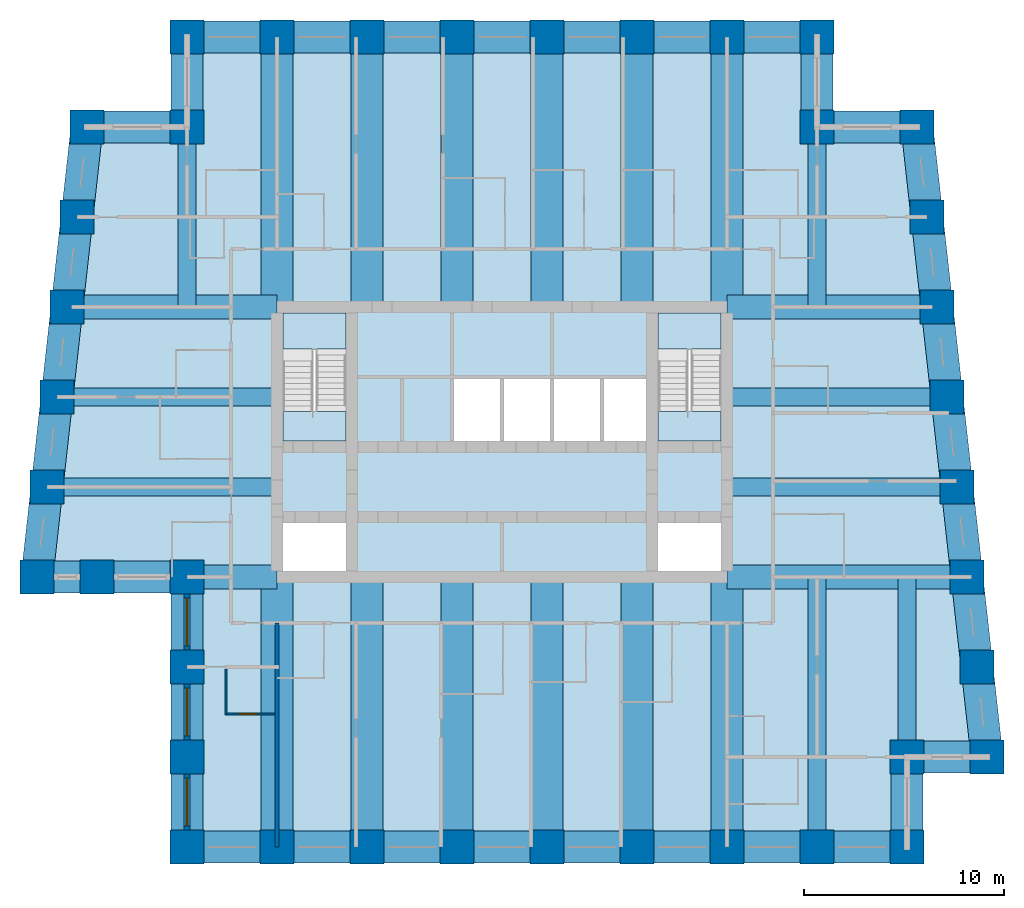
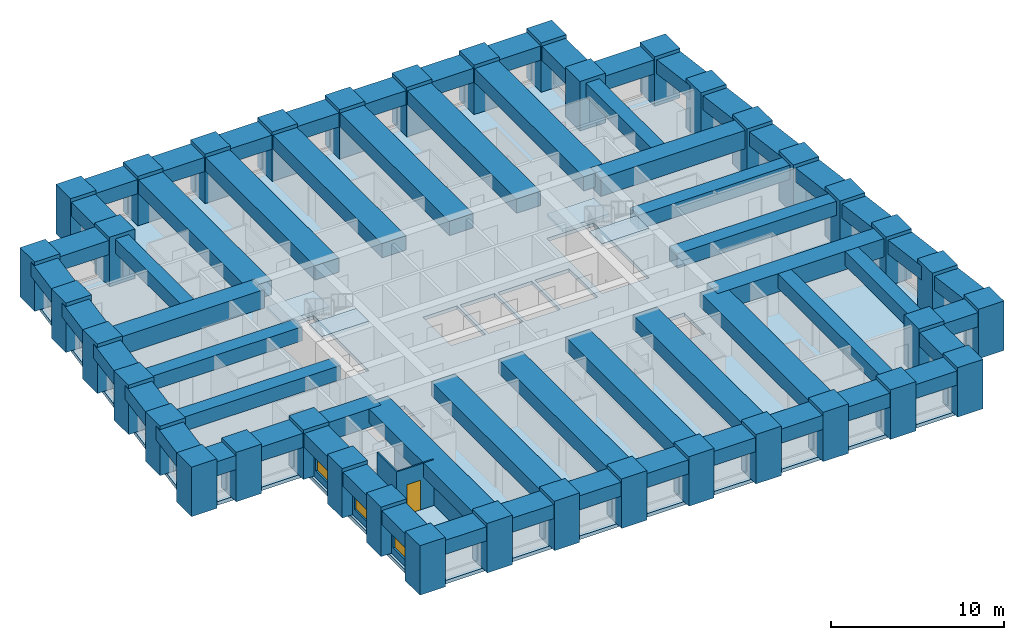
# One storey, part 1 of 8: 62 beams, 38 columns, 5 slabs, 4 walls, 3 windows, 1 door, 4 openings, 2 elements without a shape of their own.
"""IFC4 building model written with IfcOpenShell, lengths in metres."""

from ifc_helpers import new_model, si_unit, direction, frame, frame_2d, origin, origin_2d, place, context, subcontext, project, spatial, polyline, rectangle, outline, extrude, material, layer, layer_set, material_profile, profile_set, type_object, element, fill, aggregate, save


model = new_model("IFC4")

# Units and contexts
model_context = context("Model", 3, precision=1e-05, world=origin(), true_north=direction((0.0, 1.0)))
body_context = subcontext(model_context, "Body", "Model", "MODEL_VIEW")
ifc_project = project(units=[si_unit("LENGTHUNIT", "METRE"), si_unit("AREAUNIT", "SQUARE_METRE"), si_unit("VOLUMEUNIT", "CUBIC_METRE"), si_unit("PLANEANGLEUNIT", "RADIAN"), si_unit("MASSUNIT", "GRAM", prefix="KILO")], contexts=[model_context])

# Site, building, storey
site_placement = place(None, origin())
site = spatial("IfcSite", under=ifc_project, at=site_placement, CompositionType="ELEMENT")
building_placement = place(site_placement, origin())
building = spatial("IfcBuilding", under=site, at=building_placement, Name="Kilele Tower Hotel", CompositionType="ELEMENT")
storey_placement = place(building_placement, frame((0.0, 0.0, 179.89990234375)))
storey = spatial("IfcBuildingStorey", under=building, at=storey_placement, Name="L46", CompositionType="ELEMENT", Elevation=179.89990234375)

# Columns
ifc_material_1 = material(Name="Concrete C60/75", Category="concrete")
ifc_material_profile_1 = material_profile(ifc_material_1, rectangle(XDim=1.699951171875, YDim=1.699951171875, at=origin_2d()))
ifc_profile_set_1 = profile_set([ifc_material_profile_1], Name="Concrete C60/75")
column_type = type_object("IfcColumnType", Name="Tube column RC 1700x1700 C60/75", PredefinedType="COLUMN", material=ifc_profile_set_1)
for number, where, z_axis, x_axis, name in (
    (1, (1.5, 13.5, 0.0), (0.0, 0.0, 1.0), (1.0, 0.0, 0.0), "Column TC4 L46"),
    (2, (4.5, 13.5, 0.0), (0.0, 0.0, 1.0), (1.0, 0.0, 0.0), "Column TC4 L46"),
    (3, (9.0, 13.5, 0.0), (0.0, 0.0, 1.0), (1.0, 0.0, 0.0), "Column TC4 L46"),
    (4, (9.0, 9.0, 0.0), (0.0, 0.0, 1.0), (1.0, 0.0, 0.0), "Column TC4 L46"),
    (5, (9.0, 4.5, 0.0), (0.0, 0.0, 1.0), (1.0, 0.0, 0.0), "Column TC4 L46"),
    (6, (9.0, 0.0, 0.0), (0.0, 0.0, 1.0), (1.0, 0.0, 0.0), "Column TC4 L46"),
    (7, (13.5, 0.0, 0.0), (0.0, 0.0, 1.0), (1.0, 0.0, 0.0), "Column TC4 L46"),
    (8, (18.0, 0.0, 0.0), (0.0, 0.0, 1.0), (1.0, 0.0, 0.0), "Column TC4 L46"),
    (9, (22.5, 0.0, 0.0), (0.0, 0.0, 1.0), (1.0, 0.0, 0.0), "Column TC4 L46"),
    (10, (27.0, 0.0, 0.0), (0.0, 0.0, 1.0), (1.0, 0.0, 0.0), "Column TC4 L46"),
    (11, (31.5, 0.0, 0.0), (0.0, 0.0, 1.0), (1.0, 0.0, 0.0), "Column TC4 L46"),
    (12, (36.0, 0.0, 0.0), (0.0, 0.0, 1.0), (1.0, 0.0, 0.0), "Column TC4 L46"),
    (13, (40.5, 0.0, 0.0), (0.0, 0.0, 1.0), (1.0, 0.0, 0.0), "Column TC4 L46"),
    (14, (45.0, 0.0, 0.0), (0.0, 0.0, 1.0), (1.0, 0.0, 0.0), "Column TC4 L46"),
    (15, (45.0, 4.5, 0.0), (0.0, 0.0, 1.0), (1.0, 0.0, 0.0), "Column TC4 L46"),
    (16, (49.0, 4.5, 0.0), (0.0, 0.0, 1.0), (1.0, 0.0, 0.0), "Column TC4 L46"),
    (17, (48.5, 9.0, 0.0), (0.0, 0.0, 1.0), (1.0, 0.0, 0.0), "Column TC4 L46"),
    (18, (48.0, 13.5, 0.0), (0.0, 0.0, 1.0), (1.0, 0.0, 0.0), "Column TC4 L46"),
    (19, (47.5, 18.0, 0.0), (0.0, 0.0, 1.0), (1.0, 0.0, 0.0), "Column TC4 L46"),
    (20, (47.0, 22.5, 0.0), (0.0, 0.0, 1.0), (1.0, 0.0, 0.0), "Column TC4 L46"),
    (21, (46.5, 27.0, 0.0), (0.0, 0.0, 1.0), (1.0, 0.0, 0.0), "Column TC4 L46"),
    (22, (46.0, 31.5, 0.0), (0.0, 0.0, 1.0), (1.0, 0.0, 0.0), "Column TC4 L46"),
    (23, (45.5, 36.0, 0.0), (0.0, 0.0, 1.0), (1.0, 0.0, 0.0), "Column TC4 L46"),
    (24, (40.5, 36.0, 0.0), (0.0, 0.0, 1.0), (1.0, 0.0, 0.0), "Column TC4 L46"),
    (25, (40.5, 40.5, 0.0), (0.0, 0.0, 1.0), (1.0, 0.0, 0.0), "Column TC4 L46"),
    (26, (36.0, 40.5, 0.0), (0.0, 0.0, 1.0), (1.0, 0.0, 0.0), "Column TC4 L46"),
    (27, (31.5, 40.5, 0.0), (0.0, 0.0, 1.0), (1.0, 0.0, 0.0), "Column TC4 L46"),
    (28, (27.0, 40.5, 0.0), (0.0, 0.0, 1.0), (1.0, 0.0, 0.0), "Column TC4 L46"),
    (29, (22.5, 40.5, 0.0), (0.0, 0.0, 1.0), (1.0, 0.0, 0.0), "Column TC4 L46"),
    (30, (18.0, 40.5, 0.0), (0.0, 0.0, 1.0), (1.0, 0.0, 0.0), "Column TC4 L46"),
    (31, (13.5, 40.5, 0.0), (0.0, 0.0, 1.0), (1.0, 0.0, 0.0), "Column TC4 L46"),
    (32, (9.0, 40.5, 0.0), (0.0, 0.0, 1.0), (1.0, 0.0, 0.0), "Column TC4 L46"),
    (33, (9.0, 36.0, 0.0), (0.0, 0.0, 1.0), (1.0, 0.0, 0.0), "Column TC4 L46"),
    (34, (4.0, 36.0, 0.0), (0.0, 0.0, 1.0), (1.0, 0.0, 0.0), "Column TC4 L46"),
    (35, (3.5, 31.5, 0.0), (0.0, 0.0, 1.0), (1.0, 0.0, 0.0), "Column TC4 L46"),
    (36, (3.0, 27.0, 0.0), (0.0, 0.0, 1.0), (1.0, 0.0, 0.0), "Column TC4 L46"),
    (37, (2.5, 22.5, 0.0), (0.0, 0.0, 1.0), (1.0, 0.0, 0.0), "Column TC4 L46"),
    (38, (2.0, 18.0, 0.0), (0.0, 0.0, 1.0), (1.0, 0.0, 0.0), "Column TC4 L46"),
):
    element("IfcColumn", number, at=place(storey_placement, frame(where, z_axis=z_axis, x_axis=x_axis)), inside=storey, type_object=column_type, Name=name, PredefinedType="COLUMN", context=body_context, shape_type="SweptSolid", body=[
        extrude(rectangle(XDim=1.699951171875, YDim=1.699951171875, at=origin_2d()), origin(), (0.0, 0.0, 1.0), 3.5),
    ])

# Beams
ifc_material_2 = material(Name="Concrete C60/75", Category="concrete")
ifc_material_profile_2 = material_profile(ifc_material_2, rectangle(XDim=1.60009765625, YDim=1.0, at=origin_2d()))
ifc_profile_set_2 = profile_set([ifc_material_profile_2], Name="Concrete C60/75")
beam_type_1 = type_object("IfcBeamType", Name="Beam RC 1600x1000 C60/75", PredefinedType="BEAM", material=ifc_profile_set_2)
for number, where, z_axis, x_axis, name in (
    (39, (13.5, 0.0, 2.75), (0.0, 1.0, 0.0), (-1.0, 0.0, 0.0), "Beam BC1 level L47"),
    (40, (18.0, 0.0, 2.75), (0.0, 1.0, 0.0), (-1.0, 0.0, 0.0), "Beam BC1 level L47"),
    (41, (22.5, 0.0, 2.75), (0.0, 1.0, 0.0), (-1.0, 0.0, 0.0), "Beam BC1 level L47"),
    (42, (27.0, 0.0, 2.75), (0.0, 1.0, 0.0), (-1.0, 0.0, 0.0), "Beam BC1 level L47"),
    (43, (31.5, 0.0, 2.75), (0.0, 1.0, 0.0), (-1.0, 0.0, 0.0), "Beam BC1 level L47"),
    (44, (36.0, 0.0, 2.75), (0.0, 1.0, 0.0), (-1.0, 0.0, 0.0), "Beam BC1 level L47"),
    (45, (36.0, 40.5, 2.75), (0.0, -1.0, 0.0), (1.0, 0.0, 0.0), "Beam BC1 level L47"),
    (46, (31.5, 40.5, 2.75), (0.0, -1.0, 0.0), (1.0, 0.0, 0.0), "Beam BC1 level L47"),
    (47, (27.0, 40.5, 2.75), (0.0, -1.0, 0.0), (1.0, 0.0, 0.0), "Beam BC1 level L47"),
    (48, (22.5, 40.5, 2.75), (0.0, -1.0, 0.0), (1.0, 0.0, 0.0), "Beam BC1 level L47"),
    (49, (18.0, 40.5, 2.75), (0.0, -1.0, 0.0), (1.0, 0.0, 0.0), "Beam BC1 level L47"),
    (50, (13.5, 40.5, 2.75), (0.0, -1.0, 0.0), (1.0, 0.0, 0.0), "Beam BC1 level L47"),
):
    element("IfcBeam", number, at=place(storey_placement, frame(where, z_axis=z_axis, x_axis=x_axis)), inside=storey, type_object=beam_type_1, Name=name, PredefinedType="BEAM", context=body_context, shape_type="SweptSolid", body=[
        extrude(rectangle(XDim=1.60009765625, YDim=1.0, at=origin_2d()), origin(), (0.0, 0.0, 1.0), 13.5),
    ])
ifc_material_3 = material(Name="Concrete C60/75", Category="concrete")
ifc_material_profile_3 = material_profile(ifc_material_3, rectangle(XDim=0.89990234375, YDim=1.0, at=origin_2d()))
ifc_profile_set_3 = profile_set([ifc_material_profile_3], Name="Concrete C60/75")
beam_type_2 = type_object("IfcBeamType", Name="Beam RC 900x1000 C60/75", PredefinedType="BEAM", material=ifc_profile_set_3)
beam_1_placement = place(storey_placement, frame((40.5, 0.0, 2.75), z_axis=(0.0, 1.0, 0.0), x_axis=(-1.0, 0.0, 0.0)))
element("IfcBeam", 51, at=beam_1_placement, inside=storey, type_object=beam_type_2, Name="Beam B8 level L47", PredefinedType="BEAM", context=body_context, shape_type="SweptSolid", body=[
    extrude(rectangle(XDim=0.89990234375, YDim=1.0, at=origin_2d()), origin(), (0.0, 0.0, 1.0), 13.5),
])
beam_2_placement = place(storey_placement, frame((45.0, 4.5, 2.75), z_axis=(0.0, 1.0, 0.0), x_axis=(-1.0, 0.0, 0.0)))
element("IfcBeam", 52, at=beam_2_placement, inside=storey, type_object=beam_type_2, Name="Beam B8 level L47", PredefinedType="BEAM", context=body_context, shape_type="SweptSolid", body=[
    extrude(rectangle(XDim=0.89990234375, YDim=1.0, at=origin_2d()), origin(), (0.0, 0.0, 1.0), 9.0),
])
beam_3_placement = place(storey_placement, frame((47.5, 18.0, 2.75), z_axis=(-1.0, 0.0, 0.0), x_axis=(0.0, -1.0, 0.0)))
element("IfcBeam", 53, at=beam_3_placement, inside=storey, type_object=beam_type_2, Name="Beam B8 level L47", PredefinedType="BEAM", context=body_context, shape_type="SweptSolid", body=[
    extrude(rectangle(XDim=0.89990234375, YDim=1.0, at=origin_2d()), origin(), (0.0, 0.0, 1.0), 11.5),
])
beam_4_placement = place(storey_placement, frame((47.0, 22.5, 2.75), z_axis=(-1.0, 0.0, 0.0), x_axis=(0.0, -1.0, 0.0)))
element("IfcBeam", 54, at=beam_4_placement, inside=storey, type_object=beam_type_2, Name="Beam B8 level L47", PredefinedType="BEAM", context=body_context, shape_type="SweptSolid", body=[
    extrude(rectangle(XDim=0.89990234375, YDim=1.0, at=origin_2d()), origin(), (0.0, 0.0, 1.0), 11.0),
])
for number, where, z_axis, x_axis, name in (
    (55, (40.5, 36.0, 2.75), (0.0, -1.0, 0.0), (1.0, 0.0, 0.0), "Beam B8 level L47"),
    (56, (9.0, 36.0, 2.75), (0.0, -1.0, 0.0), (1.0, 0.0, 0.0), "Beam B8 level L47"),
):
    element("IfcBeam", number, at=place(storey_placement, frame(where, z_axis=z_axis, x_axis=x_axis)), inside=storey, type_object=beam_type_2, Name=name, PredefinedType="BEAM", context=body_context, shape_type="SweptSolid", body=[
        extrude(rectangle(XDim=0.89990234375, YDim=1.0, at=origin_2d()), origin(), (0.0, 0.0, 1.0), 9.0),
    ])
beam_5_placement = place(storey_placement, frame((2.5, 22.5, 2.75), z_axis=(1.0, 0.0, 0.0), x_axis=(0.0, 1.0, 0.0)))
element("IfcBeam", 57, at=beam_5_placement, inside=storey, type_object=beam_type_2, Name="Beam B8 level L47", PredefinedType="BEAM", context=body_context, shape_type="SweptSolid", body=[
    extrude(rectangle(XDim=0.89990234375, YDim=1.0, at=origin_2d()), origin(), (0.0, 0.0, 1.0), 11.0),
])
beam_6_placement = place(storey_placement, frame((2.0, 18.0, 2.75), z_axis=(1.0, 0.0, 0.0), x_axis=(0.0, 1.0, 0.0)))
element("IfcBeam", 58, at=beam_6_placement, inside=storey, type_object=beam_type_2, Name="Beam B8 level L47", PredefinedType="BEAM", context=body_context, shape_type="SweptSolid", body=[
    extrude(rectangle(XDim=0.89990234375, YDim=1.0, at=origin_2d()), origin(), (0.0, 0.0, 1.0), 11.5),
])
ifc_material_4 = material(Name="Concrete C60/75", Category="concrete")
ifc_material_profile_4 = material_profile(ifc_material_4, rectangle(XDim=1.199951171875, YDim=1.300048828125, at=origin_2d()))
ifc_profile_set_4 = profile_set([ifc_material_profile_4], Name="Concrete C60/75")
beam_type_3 = type_object("IfcBeamType", Name="Girder RC 1200x1300 C60/75", PredefinedType="BEAM", material=ifc_profile_set_4)
beam_7_placement = place(storey_placement, frame((48.0, 13.5, 2.60009765625), z_axis=(-1.0, 0.0, 0.0), x_axis=(0.0, -1.0, 0.0)))
element("IfcBeam", 59, at=beam_7_placement, inside=storey, type_object=beam_type_3, Name="Girder G1 level L47", PredefinedType="BEAM", context=body_context, shape_type="SweptSolid", body=[
    extrude(rectangle(XDim=1.199951171875, YDim=1.300048828125, at=origin_2d()), origin(), (0.0, 0.0, 1.0), 12.0),
])
ifc_material_5 = material(Name="Concrete C60/75", Category="concrete")
ifc_material_profile_5 = material_profile(ifc_material_5, rectangle(XDim=1.199951171875, YDim=1.300048828125, at=origin_2d()))
ifc_profile_set_5 = profile_set([ifc_material_profile_5], Name="Concrete C60/75")
beam_type_4 = type_object("IfcBeamType", Name="Girder RC 1200x1300 C60/75 mid span", PredefinedType="BEAM", material=ifc_profile_set_5)
for number, where, z_axis, x_axis, name in (
    (60, (46.5, 27.0, 2.60009765625), (-1.0, 0.0, 0.0), (0.0, -1.0, 0.0), "Girder G3 level L47"),
    (61, (3.0, 27.0, 2.60009765625), (1.0, 0.0, 0.0), (0.0, 1.0, 0.0), "Girder G3 level L47"),
):
    element("IfcBeam", number, at=place(storey_placement, frame(where, z_axis=z_axis, x_axis=x_axis)), inside=storey, type_object=beam_type_4, Name=name, PredefinedType="BEAM", context=body_context, shape_type="SweptSolid", body=[
        extrude(rectangle(XDim=1.199951171875, YDim=1.300048828125, at=origin_2d()), origin(), (0.0, 0.0, 1.0), 10.5),
    ])
ifc_material_6 = material(Name="Concrete C60/75", Category="concrete")
ifc_material_profile_6 = material_profile(ifc_material_6, rectangle(XDim=1.199951171875, YDim=1.300048828125, at=origin_2d()))
ifc_profile_set_6 = profile_set([ifc_material_profile_6], Name="Concrete C60/75")
beam_type_5 = type_object("IfcBeamType", Name="Girder RC 1200x1300 C60/75 short span", PredefinedType="BEAM", material=ifc_profile_set_6)
beam_8_placement = place(storey_placement, frame((9.0, 13.5, 2.60009765625), z_axis=(1.0, 0.0, 0.0), x_axis=(0.0, 1.0, 0.0)))
element("IfcBeam", 62, at=beam_8_placement, inside=storey, type_object=beam_type_5, Name="Girder G5 level L47", PredefinedType="BEAM", context=body_context, shape_type="SweptSolid", body=[
    extrude(rectangle(XDim=1.199951171875, YDim=1.300048828125, at=origin_2d()), origin(), (0.0, 0.0, 1.0), 4.5),
])
ifc_material_7 = material(Name="Concrete C60/75", Category="concrete")
ifc_material_profile_7 = material_profile(ifc_material_7, rectangle(XDim=1.60009765625, YDim=1.0, at=origin_2d()))
ifc_profile_set_7 = profile_set([ifc_material_profile_7], Name="Concrete C60/75")
beam_type_6 = type_object("IfcBeamType", Name="Spandrel RC 1600x1000 C60/75", PredefinedType="SPANDREL", material=ifc_profile_set_7)
beam_9_placement = place(storey_placement, frame((1.5, 13.5, 2.75), z_axis=(1.0, 0.0, 0.0), x_axis=(0.0, 1.0, 0.0)))
element("IfcBeam", 63, at=beam_9_placement, inside=storey, type_object=beam_type_6, Name="Spandrel SP2 level L47", PredefinedType="SPANDREL", context=body_context, shape_type="SweptSolid", body=[
    extrude(rectangle(XDim=1.60009765625, YDim=1.0, at=origin_2d()), origin(), (0.0, 0.0, 1.0), 3.0),
])
for number, where, z_axis, x_axis, name in (
    (64, (4.5, 13.5, 2.75), (1.0, 0.0, 0.0), (0.0, 1.0, 0.0), "Spandrel SP2 level L47"),
    (65, (9.0, 13.5, 2.75), (0.0, -1.0, 0.0), (1.0, 0.0, 0.0), "Spandrel SP2 level L47"),
    (66, (9.0, 9.0, 2.75), (0.0, -1.0, 0.0), (1.0, 0.0, 0.0), "Spandrel SP2 level L47"),
    (67, (9.0, 4.5, 2.75), (0.0, -1.0, 0.0), (1.0, 0.0, 0.0), "Spandrel SP2 level L47"),
    (68, (9.0, 0.0, 2.75), (1.0, 0.0, 0.0), (0.0, 1.0, 0.0), "Spandrel SP2 level L47"),
    (69, (13.5, 0.0, 2.75), (1.0, 0.0, 0.0), (0.0, 1.0, 0.0), "Spandrel SP2 level L47"),
    (70, (18.0, 0.0, 2.75), (1.0, 0.0, 0.0), (0.0, 1.0, 0.0), "Spandrel SP2 level L47"),
    (71, (22.5, 0.0, 2.75), (1.0, 0.0, 0.0), (0.0, 1.0, 0.0), "Spandrel SP2 level L47"),
    (72, (27.0, 0.0, 2.75), (1.0, 0.0, 0.0), (0.0, 1.0, 0.0), "Spandrel SP2 level L47"),
    (73, (31.5, 0.0, 2.75), (1.0, 0.0, 0.0), (0.0, 1.0, 0.0), "Spandrel SP2 level L47"),
    (74, (36.0, 0.0, 2.75), (1.0, 0.0, 0.0), (0.0, 1.0, 0.0), "Spandrel SP2 level L47"),
    (75, (40.5, 0.0, 2.75), (1.0, 0.0, 0.0), (0.0, 1.0, 0.0), "Spandrel SP2 level L47"),
    (76, (45.0, 0.0, 2.75), (0.0, 1.0, 0.0), (-1.0, 0.0, 0.0), "Spandrel SP2 level L47"),
):
    element("IfcBeam", number, at=place(storey_placement, frame(where, z_axis=z_axis, x_axis=x_axis)), inside=storey, type_object=beam_type_6, Name=name, PredefinedType="SPANDREL", context=body_context, shape_type="SweptSolid", body=[
        extrude(rectangle(XDim=1.60009765625, YDim=1.0, at=origin_2d()), origin(), (0.0, 0.0, 1.0), 4.5),
    ])
beam_10_placement = place(storey_placement, frame((45.0, 4.5, 2.75), z_axis=(1.0, 0.0, 0.0), x_axis=(0.0, 1.0, 0.0)))
element("IfcBeam", 77, at=beam_10_placement, inside=storey, type_object=beam_type_6, Name="Spandrel SP2 level L47", PredefinedType="SPANDREL", context=body_context, shape_type="SweptSolid", body=[
    extrude(rectangle(XDim=1.60009765625, YDim=1.0, at=origin_2d()), origin(), (0.0, 0.0, 1.0), 4.0),
])
for number, where, z_axis, x_axis, name in (
    (78, (49.0, 4.5, 2.75), (-0.110431526075, 0.993883734674, 0.0), (-0.993883734674, -0.110431526075, 0.0), "Spandrel SP2 level L47"),
    (79, (48.5, 9.0, 2.75), (-0.110431526075, 0.993883734674, 0.0), (-0.993883734674, -0.110431526075, 0.0), "Spandrel SP2 level L47"),
    (80, (48.0, 13.5, 2.75), (-0.110431526075, 0.993883734674, 0.0), (-0.993883734674, -0.110431526075, 0.0), "Spandrel SP2 level L47"),
    (81, (47.5, 18.0, 2.75), (-0.110431526075, 0.993883734674, 0.0), (-0.993883734674, -0.110431526075, 0.0), "Spandrel SP2 level L47"),
    (82, (47.0, 22.5, 2.75), (-0.110431526075, 0.993883734674, 0.0), (-0.993883734674, -0.110431526075, 0.0), "Spandrel SP2 level L47"),
    (83, (46.5, 27.0, 2.75), (-0.110431526075, 0.993883734674, 0.0), (-0.993883734674, -0.110431526075, 0.0), "Spandrel SP2 level L47"),
    (84, (46.0, 31.5, 2.75), (-0.110431526075, 0.993883734674, 0.0), (-0.993883734674, -0.110431526075, 0.0), "Spandrel SP2 level L47"),
):
    element("IfcBeam", number, at=place(storey_placement, frame(where, z_axis=z_axis, x_axis=x_axis)), inside=storey, type_object=beam_type_6, Name=name, PredefinedType="SPANDREL", context=body_context, shape_type="SweptSolid", body=[
        extrude(rectangle(XDim=1.60009765625, YDim=1.0, at=origin_2d()), origin(), (0.0, 0.0, 1.0), 4.527587890625),
    ])
beam_11_placement = place(storey_placement, frame((45.5, 36.0, 2.75), z_axis=(-1.0, 0.0, 0.0), x_axis=(0.0, -1.0, 0.0)))
element("IfcBeam", 85, at=beam_11_placement, inside=storey, type_object=beam_type_6, Name="Spandrel SP2 level L47", PredefinedType="SPANDREL", context=body_context, shape_type="SweptSolid", body=[
    extrude(rectangle(XDim=1.60009765625, YDim=1.0, at=origin_2d()), origin(), (0.0, 0.0, 1.0), 5.0),
])
for number, where, z_axis, x_axis, name in (
    (86, (40.5, 36.0, 2.75), (0.0, 1.0, 0.0), (-1.0, 0.0, 0.0), "Spandrel SP2 level L47"),
    (87, (40.5, 40.5, 2.75), (-1.0, 0.0, 0.0), (0.0, -1.0, 0.0), "Spandrel SP2 level L47"),
    (88, (36.0, 40.5, 2.75), (-1.0, 0.0, 0.0), (0.0, -1.0, 0.0), "Spandrel SP2 level L47"),
    (89, (31.5, 40.5, 2.75), (-1.0, 0.0, 0.0), (0.0, -1.0, 0.0), "Spandrel SP2 level L47"),
    (90, (27.0, 40.5, 2.75), (-1.0, 0.0, 0.0), (0.0, -1.0, 0.0), "Spandrel SP2 level L47"),
    (91, (22.5, 40.5, 2.75), (-1.0, 0.0, 0.0), (0.0, -1.0, 0.0), "Spandrel SP2 level L47"),
    (92, (18.0, 40.5, 2.75), (-1.0, 0.0, 0.0), (0.0, -1.0, 0.0), "Spandrel SP2 level L47"),
    (93, (13.5, 40.5, 2.75), (-1.0, 0.0, 0.0), (0.0, -1.0, 0.0), "Spandrel SP2 level L47"),
    (94, (9.0, 40.5, 2.75), (0.0, -1.0, 0.0), (1.0, 0.0, 0.0), "Spandrel SP2 level L47"),
):
    element("IfcBeam", number, at=place(storey_placement, frame(where, z_axis=z_axis, x_axis=x_axis)), inside=storey, type_object=beam_type_6, Name=name, PredefinedType="SPANDREL", context=body_context, shape_type="SweptSolid", body=[
        extrude(rectangle(XDim=1.60009765625, YDim=1.0, at=origin_2d()), origin(), (0.0, 0.0, 1.0), 4.5),
    ])
beam_12_placement = place(storey_placement, frame((9.0, 36.0, 2.75), z_axis=(-1.0, 0.0, 0.0), x_axis=(0.0, -1.0, 0.0)))
element("IfcBeam", 95, at=beam_12_placement, inside=storey, type_object=beam_type_6, Name="Spandrel SP2 level L47", PredefinedType="SPANDREL", context=body_context, shape_type="SweptSolid", body=[
    extrude(rectangle(XDim=1.60009765625, YDim=1.0, at=origin_2d()), origin(), (0.0, 0.0, 1.0), 5.0),
])
for number, where, z_axis, x_axis, name in (
    (96, (4.0, 36.0, 2.75), (-0.110431526075, -0.993883734674, 0.0), (0.993883734674, -0.110431526075, 0.0), "Spandrel SP2 level L47"),
    (97, (3.5, 31.5, 2.75), (-0.110431526075, -0.993883734674, 0.0), (0.993883734674, -0.110431526075, 0.0), "Spandrel SP2 level L47"),
    (98, (3.0, 27.0, 2.75), (-0.110431526075, -0.993883734674, 0.0), (0.993883734674, -0.110431526075, 0.0), "Spandrel SP2 level L47"),
    (99, (2.5, 22.5, 2.75), (-0.110431526075, -0.993883734674, 0.0), (0.993883734674, -0.110431526075, 0.0), "Spandrel SP2 level L47"),
    (100, (2.0, 18.0, 2.75), (-0.110431526075, -0.993883734674, 0.0), (0.993883734674, -0.110431526075, 0.0), "Spandrel SP2 level L47"),
):
    element("IfcBeam", number, at=place(storey_placement, frame(where, z_axis=z_axis, x_axis=x_axis)), inside=storey, type_object=beam_type_6, Name=name, PredefinedType="SPANDREL", context=body_context, shape_type="SweptSolid", body=[
        extrude(rectangle(XDim=1.60009765625, YDim=1.0, at=origin_2d()), origin(), (0.0, 0.0, 1.0), 4.527587890625),
    ])

# Slab
ifc_material_8 = material(Name="Concrete C60/75", Category="concrete")
ifc_layer_1 = layer(ifc_material_8, 0.25)
ifc_layer_set_1 = layer_set([ifc_layer_1], Name="Concrete C60/75")
slab_type_1 = type_object("IfcSlabType", Name="Floor slab 250", PredefinedType="FLOOR", material=ifc_layer_set_1)
slab_1_placement = place(storey_placement, frame((0.0, 0.0, -0.25)))
element("IfcSlab", 101, at=slab_1_placement, inside=storey, type_object=slab_type_1, Name="Floor slab L46", PredefinedType="FLOOR", context=body_context, shape_type="SweptSolid", body=[
    extrude(outline(polyline([(8.699951171875, 36.300048828125), (8.699951171875, 40.800048828125), (40.800048828125, 40.800048828125), (40.800048828125, 36.300048828125), (45.7685546875, 36.300048828125), (49.335205078125, 4.199951171875), (45.300048828125, 4.199951171875), (45.300048828125, -0.300048828125), (8.699951171875, -0.300048828125), (8.699951171875, 13.199951171875), (1.164794921875, 13.199951171875), (3.7314453125, 36.300048828125), (8.699951171875, 36.300048828125)]), holes=[polyline([(16.949951171875, 16.199951171875), (13.800048828125, 16.199951171875), (13.800048828125, 13.800048828125), (16.949951171875, 13.800048828125), (16.949951171875, 16.199951171875)]), polyline([(35.699951171875, 16.199951171875), (32.550048828125, 16.199951171875), (32.550048828125, 13.800048828125), (35.699951171875, 13.800048828125), (35.699951171875, 16.199951171875)]), polyline([(24.64990234375, 23.39990234375), (22.35009765625, 23.39990234375), (22.35009765625, 20.10009765625), (24.64990234375, 20.10009765625), (24.64990234375, 23.39990234375)]), polyline([(27.14990234375, 23.39990234375), (24.85009765625, 23.39990234375), (24.85009765625, 20.10009765625), (27.14990234375, 20.10009765625), (27.14990234375, 23.39990234375)]), polyline([(29.64990234375, 23.39990234375), (27.35009765625, 23.39990234375), (27.35009765625, 20.10009765625), (29.64990234375, 20.10009765625), (29.64990234375, 23.39990234375)]), polyline([(32.14990234375, 23.39990234375), (29.85009765625, 23.39990234375), (29.85009765625, 20.10009765625), (32.14990234375, 20.10009765625), (32.14990234375, 23.39990234375)]), polyline([(16.949951171875, 26.699951171875), (13.800048828125, 26.699951171875), (13.800048828125, 20.300048828125), (16.949951171875, 20.300048828125), (16.949951171875, 26.699951171875)]), polyline([(35.699951171875, 26.699951171875), (32.550048828125, 26.699951171875), (32.550048828125, 20.300048828125), (35.699951171875, 20.300048828125), (35.699951171875, 26.699951171875)])]), origin(), (0.0, 0.0, 1.0), 0.25),
])

# Stair, slabs
ifc_material_9 = material(Name="Precast concrete C40/50", Category="concrete")
stair_type = type_object("IfcStairType", Name="Stair 1475 x 3500", PredefinedType="HALF_TURN_STAIR", material=ifc_material_9)
stair_1_placement = place(storey_placement, origin())
stair_1 = element("IfcStair", 102, at=stair_1_placement, inside=storey, type_object=stair_type, Name="Stair 1 L46", PredefinedType="HALF_TURN_STAIR")
ifc_material_10 = material(Name="Precast concrete C40/50", Category="concrete")
ifc_layer_2 = layer(ifc_material_10, 0.199951171875)
ifc_layer_set_2 = layer_set([ifc_layer_2], Name="Precast concrete C40/50")
slab_type_2 = type_object("IfcSlabType", Name="Stair landing 200", PredefinedType="LANDING", material=ifc_layer_set_2)
slab_2_placement = place(storey_placement, frame((0.0, 0.0, 1.550048828125)))
slab_2 = element("IfcSlab", 103, at=slab_2_placement, type_object=slab_type_2, Name="ST1 landing 1", PredefinedType="LANDING", context=body_context, shape_type="SweptSolid", body=[
    extrude(outline(polyline([(13.800048828125, 24.89501953125), (16.949951171875, 24.89501953125), (16.949951171875, 26.699951171875), (13.800048828125, 26.699951171875), (13.800048828125, 24.89501953125)])), origin(), (0.0, 0.0, 1.0), 0.199951171875),
])
slab_3_placement = place(storey_placement, frame((0.0, 0.0, 3.300048828125)))
slab_3 = element("IfcSlab", 104, at=slab_3_placement, type_object=slab_type_2, Name="ST1 landing 2", PredefinedType="LANDING", context=body_context, shape_type="SweptSolid", body=[
    extrude(outline(polyline([(13.800048828125, 20.300048828125), (16.949951171875, 20.300048828125), (16.949951171875, 21.77490234375), (13.800048828125, 21.77490234375), (13.800048828125, 20.300048828125)])), origin(), (0.0, 0.0, 1.0), 0.199951171875),
])
aggregate(stair_1, [slab_2, slab_3])

stair_2_placement = place(storey_placement, origin())
stair_2 = element("IfcStair", 105, at=stair_2_placement, inside=storey, type_object=stair_type, Name="Stair 2 L46", PredefinedType="HALF_TURN_STAIR")
slab_4_placement = place(storey_placement, frame((0.0, 0.0, 1.550048828125)))
slab_4 = element("IfcSlab", 106, at=slab_4_placement, type_object=slab_type_2, Name="ST2 landing 1", PredefinedType="LANDING", context=body_context, shape_type="SweptSolid", body=[
    extrude(outline(polyline([(32.550048828125, 24.89501953125), (35.699951171875, 24.89501953125), (35.699951171875, 26.699951171875), (32.550048828125, 26.699951171875), (32.550048828125, 24.89501953125)])), origin(), (0.0, 0.0, 1.0), 0.199951171875),
])
slab_5_placement = place(storey_placement, frame((0.0, 0.0, 3.300048828125)))
slab_5 = element("IfcSlab", 107, at=slab_5_placement, type_object=slab_type_2, Name="ST2 landing 2", PredefinedType="LANDING", context=body_context, shape_type="SweptSolid", body=[
    extrude(outline(polyline([(32.550048828125, 20.300048828125), (35.699951171875, 20.300048828125), (35.699951171875, 21.77490234375), (32.550048828125, 21.77490234375), (32.550048828125, 20.300048828125)])), origin(), (0.0, 0.0, 1.0), 0.199951171875),
])
aggregate(stair_2, [slab_4, slab_5])

# Wall
ifc_material_11 = material(Name="Moisture-resistant board")
ifc_layer_3 = layer(ifc_material_11, 0.10009765625)
ifc_layer_set_3 = layer_set([ifc_layer_3], Name="Moisture-resistant board")
wall_type_1 = type_object("IfcWallType", Name="Bathroom partition 100", PredefinedType="PLUMBINGWALL", material=ifc_layer_set_3)
wall_1_placement = place(storey_placement, frame((10.949951171875, 8.89990234375, 0.0), z_axis=(0.0, 0.0, 1.0), x_axis=(0.0, -1.0, 0.0)))
element("IfcWall", 108, at=wall_1_placement, inside=storey, type_object=wall_type_1, Name="Bathroom partition 100 L46", PredefinedType="PLUMBINGWALL", context=body_context, shape_type="SweptSolid", body=[
    extrude(rectangle(XDim=2.2998046875, YDim=0.10009765625, at=frame_2d((1.14990234375, 0.0))), origin(), (0.0, 0.0, 1.0), 3.25),
])

# Wall, opening, door
wall_2_placement = place(storey_placement, frame((13.39990234375, 6.64990234375, 0.0), z_axis=(0.0, 0.0, 1.0), x_axis=(-1.0, 0.0, 0.0)))
wall_2 = element("IfcWall", 109, at=wall_2_placement, inside=storey, type_object=wall_type_1, Name="Bathroom partition 100 L46", PredefinedType="PLUMBINGWALL", context=body_context, shape_type="SweptSolid", body=[
    extrude(rectangle(XDim=2.5, YDim=0.10009765625, at=frame_2d((1.25, 0.0))), origin(), (0.0, 0.0, 1.0), 3.25),
])
opening_1_placement = place(wall_2_placement, frame((0.89990234375, 0.0, 0.0)))
opening_1 = element("IfcOpeningElement", 110, at=opening_1_placement, cuts=wall_2, Name="Opening D2A", PredefinedType="OPENING", context=body_context, shape_type="SweptSolid", body=[
    extrude(rectangle(XDim=0.89990234375, YDim=2.10009765625, at=frame_2d((0.449951171875, 1.050048828125))), frame((0.0, 0.06005859375, 0.0), z_axis=(0.0, -1.0, 0.0), x_axis=(1.0, 0.0, 0.0)), (0.0, 0.0, 1.0), 0.1201171875),
])
ifc_material_12 = material(Name="Timber door leaf in hardwood frame", Category="wood")
door_type = type_object("IfcDoorType", Name="Bathroom door 900", OperationType="SINGLE_SWING_LEFT", PredefinedType="DOOR", material=ifc_material_12)
door_placement = place(opening_1_placement, origin())
door = element("IfcDoor", 111, at=door_placement, inside=storey, type_object=door_type, Name="Bathroom door 4618B", OperationType="SINGLE_SWING_LEFT", OverallHeight=2.10009765625, OverallWidth=0.89990234375, PredefinedType="DOOR", context=body_context, shape_type="SweptSolid", body=[
    extrude(rectangle(XDim=0.89990234375, YDim=2.10009765625, at=frame_2d((0.449951171875, 1.050048828125))), frame((0.0, 0.02490234375, 0.0), z_axis=(0.0, -1.0, 0.0), x_axis=(1.0, 0.0, 0.0)), (0.0, 0.0, 1.0), 0.050048828125),
])
fill(opening_1, door)

# Wall
ifc_material_13 = material(Name="Blockwork, plastered both sides", Category="masonry")
ifc_layer_4 = layer(ifc_material_13, 0.199951171875)
ifc_layer_set_4 = layer_set([ifc_layer_4], Name="Blockwork, plastered both sides")
wall_type_2 = type_object("IfcWallType", Name="Party wall 200", PredefinedType="PARTITIONING", material=ifc_layer_set_4)
wall_3_placement = place(storey_placement, frame((13.5, 11.199951171875, 0.0), z_axis=(0.0, 0.0, 1.0), x_axis=(0.0, -1.0, 0.0)))
element("IfcWall", 112, at=wall_3_placement, inside=storey, type_object=wall_type_2, Name="Party wall 200 L46", PredefinedType="PARTITIONING", context=body_context, shape_type="SweptSolid", body=[
    extrude(rectangle(XDim=11.199951171875, YDim=0.199951171875, at=frame_2d((5.60009765625, 0.0))), origin(), (0.0, 0.0, 1.0), 2.25),
])

# Wall, openings, windows
ifc_material_14 = material(Name="Concrete C40/50 precast", Category="concrete")
ifc_layer_5 = layer(ifc_material_14, 0.260009765625, Name="Precast backing", Category="LoadBearing")
ifc_material_15 = material(Name="Reconstituted stone finish", Category="masonry")
ifc_layer_6 = layer(ifc_material_15, 0.0400390625, Name="Face mix", Category="Finish")
ifc_layer_set_5 = layer_set([ifc_layer_5, ifc_layer_6], Name="Precast concrete C40/50, reconstituted stone finish")
wall_type_3 = type_object("IfcWallType", Name="Precast stone facade wall 300", PredefinedType="STANDARD", material=ifc_layer_set_5)
wall_4_placement = place(storey_placement, frame((9.0, 13.64990234375, 0.0), z_axis=(0.0, 0.0, 1.0), x_axis=(0.0, -1.0, 0.0)))
wall_4 = element("IfcWall", 113, at=wall_4_placement, inside=storey, type_object=wall_type_3, Name="Facade wall L46 edge 2", PredefinedType="STANDARD", context=body_context, shape_type="SweptSolid", body=[
    extrude(rectangle(XDim=13.7998046875, YDim=0.300048828125, at=frame_2d((6.89990234375, 0.0))), origin(), (0.0, 0.0, 1.0), 2.25),
])
opening_2_placement = place(wall_4_placement, frame((1.199951171875, 0.0, 0.5)))
opening_2 = element("IfcOpeningElement", 114, at=opening_2_placement, cuts=wall_4, Name="Opening W3", PredefinedType="OPENING", context=body_context, shape_type="SweptSolid", body=[
    extrude(rectangle(XDim=2.39990234375, YDim=1.60009765625, at=frame_2d((1.199951171875, 0.800048828125))), frame((0.0, 0.159912109375, 0.0), z_axis=(0.0, -1.0, 0.0), x_axis=(1.0, 0.0, 0.0)), (0.0, 0.0, 1.0), 0.320068359375),
])
opening_3_placement = place(wall_4_placement, frame((5.699951171875, 0.0, 0.5)))
opening_3 = element("IfcOpeningElement", 115, at=opening_3_placement, cuts=wall_4, Name="Opening W3", PredefinedType="OPENING", context=body_context, shape_type="SweptSolid", body=[
    extrude(rectangle(XDim=2.39990234375, YDim=1.60009765625, at=frame_2d((1.199951171875, 0.800048828125))), frame((0.0, 0.159912109375, 0.0), z_axis=(0.0, -1.0, 0.0), x_axis=(1.0, 0.0, 0.0)), (0.0, 0.0, 1.0), 0.320068359375),
])
opening_4_placement = place(wall_4_placement, frame((10.199951171875, 0.0, 0.5)))
opening_4 = element("IfcOpeningElement", 116, at=opening_4_placement, cuts=wall_4, Name="Opening W3", PredefinedType="OPENING", context=body_context, shape_type="SweptSolid", body=[
    extrude(rectangle(XDim=2.39990234375, YDim=1.60009765625, at=frame_2d((1.199951171875, 0.800048828125))), frame((0.0, 0.159912109375, 0.0), z_axis=(0.0, -1.0, 0.0), x_axis=(1.0, 0.0, 0.0)), (0.0, 0.0, 1.0), 0.320068359375),
])
ifc_material_16 = material(Name="Aluminium frame, clear double glazing", Category="aluminium")
window_type = type_object("IfcWindowType", Name="Window W3 2400 x 1600", PartitioningType="SINGLE_PANEL", PredefinedType="WINDOW", material=ifc_material_16)
window_1_placement = place(opening_2_placement, origin())
window_1 = element("IfcWindow", 117, at=window_1_placement, inside=storey, type_object=window_type, Name="Window L46", OverallHeight=1.60009765625, OverallWidth=2.39990234375, PartitioningType="SINGLE_PANEL", PredefinedType="WINDOW", context=body_context, shape_type="SweptSolid", body=[
    extrude(rectangle(XDim=2.39990234375, YDim=1.60009765625, at=frame_2d((1.199951171875, 0.800048828125))), frame((0.0, 0.030029296875, 0.0), z_axis=(0.0, -1.0, 0.0), x_axis=(1.0, 0.0, 0.0)), (0.0, 0.0, 1.0), 0.06005859375),
])
fill(opening_2, window_1)
window_2_placement = place(opening_3_placement, origin())
window_2 = element("IfcWindow", 118, at=window_2_placement, inside=storey, type_object=window_type, Name="Window L46", OverallHeight=1.60009765625, OverallWidth=2.39990234375, PartitioningType="SINGLE_PANEL", PredefinedType="WINDOW", context=body_context, shape_type="SweptSolid", body=[
    extrude(rectangle(XDim=2.39990234375, YDim=1.60009765625, at=frame_2d((1.199951171875, 0.800048828125))), frame((0.0, 0.030029296875, 0.0), z_axis=(0.0, -1.0, 0.0), x_axis=(1.0, 0.0, 0.0)), (0.0, 0.0, 1.0), 0.06005859375),
])
fill(opening_3, window_2)
window_3_placement = place(opening_4_placement, origin())
window_3 = element("IfcWindow", 119, at=window_3_placement, inside=storey, type_object=window_type, Name="Window L46", OverallHeight=1.60009765625, OverallWidth=2.39990234375, PartitioningType="SINGLE_PANEL", PredefinedType="WINDOW", context=body_context, shape_type="SweptSolid", body=[
    extrude(rectangle(XDim=2.39990234375, YDim=1.60009765625, at=frame_2d((1.199951171875, 0.800048828125))), frame((0.0, 0.030029296875, 0.0), z_axis=(0.0, -1.0, 0.0), x_axis=(1.0, 0.0, 0.0)), (0.0, 0.0, 1.0), 0.06005859375),
])
fill(opening_4, window_3)

save(model, "model.ifc")
